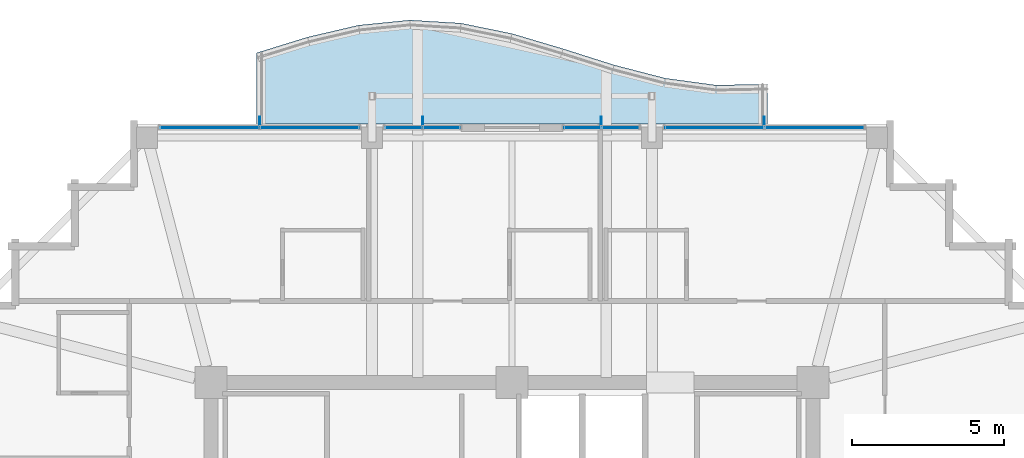
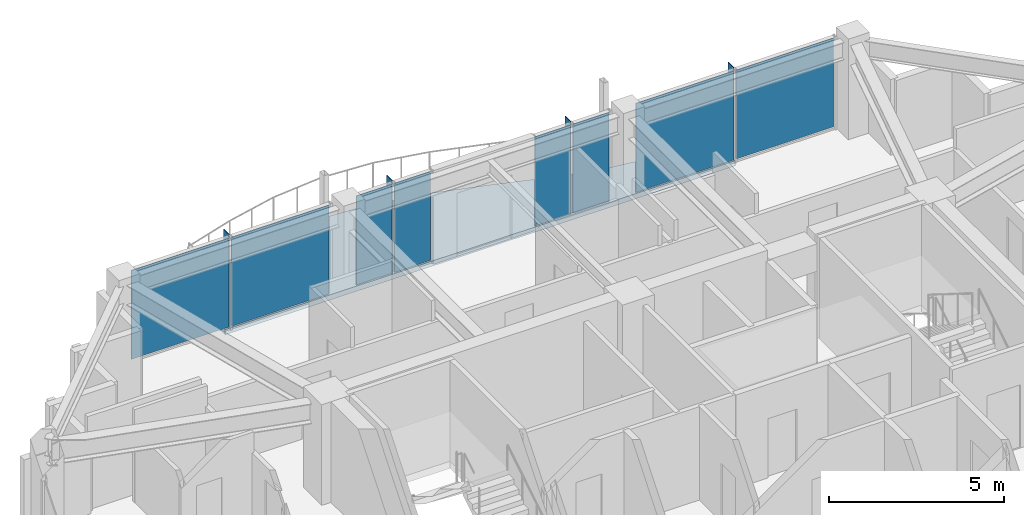
# One storey, part 26 of 34: 12 plates, 1 slab, 4 elements without a shape of their own.
"""IFC4 building model written with IfcOpenShell, lengths in metres."""

import ifcopenshell
import ifcopenshell.guid

model = None  # the IFC model being written
_history = None  # IfcOwnerHistory: only IFC2X3 demands one
_inside = {}  # id of a spatial element -> (the spatial element, [elements in it])
_under = {}  # id of a project, library or spatial element -> (it, [spatial elements below it])
_declared = {}  # id of a project -> (the project, [libraries it declares])
_typed = {}  # id of a type object -> (the type object, [elements of that type])
_made_of = {}  # id of a material, layer set ... -> (it, [elements and type objects made of it])


def new_model(schema):
    """Start an empty IFC model of exactly this schema.

    Asked for "IFC4X3", IfcOpenShell would pick the latest addendum, in which some entities
    have other attributes; the version numbers below select the first issue.
    IFC2X3 requires an IfcOwnerHistory on every rooted entity: one is made here for all.
    """
    global model, _history
    if schema == "IFC4X3":
        model = ifcopenshell.file(schema_version=(4, 3, 0, 0))
    else:
        model = ifcopenshell.file(schema=schema)
    _inside.clear()
    _under.clear()
    _declared.clear()
    _typed.clear()
    _made_of.clear()
    _history = None
    if model.schema == "IFC2X3":
        org = make("IfcOrganization", Name="unknown")
        user = make(
            "IfcPersonAndOrganization",
            ThePerson=make("IfcPerson", FamilyName="unknown"),
            TheOrganization=org,
        )
        app = make(
            "IfcApplication",
            ApplicationDeveloper=org,
            Version="unknown",
            ApplicationFullName="unknown",
            ApplicationIdentifier="unknown",
        )
        _history = make(
            "IfcOwnerHistory",
            OwningUser=user,
            OwningApplication=app,
            ChangeAction="ADDED",
            CreationDate=0,
        )
    return model


def make(cls, **values):
    """One entity of the class cls with the attributes given. An attribute that is None is left unset."""
    return model.create_entity(
        cls, **{name: value for name, value in values.items() if value is not None}
    )


def rooted(cls, **values):
    """An entity with a GlobalId (a new one), such as an element, a storey or a relation."""
    return make(cls, GlobalId=ifcopenshell.guid.new(), OwnerHistory=_history, **values)


def si_unit(unit_type, name, prefix=None):
    """IfcSIUnit, for example si_unit("LENGTHUNIT", "METRE", prefix="MILLI")."""
    return make("IfcSIUnit", UnitType=unit_type, Prefix=prefix, Name=name)


def assignment(units):
    """IfcUnitAssignment: the units of a project."""
    return None if units is None else make("IfcUnitAssignment", Units=units)


def point(xyz):
    """IfcCartesianPoint."""
    return None if xyz is None else make("IfcCartesianPoint", Coordinates=xyz)


def direction(xyz):
    """IfcDirection."""
    return None if xyz is None else make("IfcDirection", DirectionRatios=xyz)


def frame(location, z_axis=None, x_axis=None):
    """IfcAxis2Placement3D, a coordinate frame: its origin and axes. An axis left out is left unset."""
    return make(
        "IfcAxis2Placement3D",
        Location=point(location),
        Axis=direction(z_axis),
        RefDirection=direction(x_axis),
    )


def frame_2d(location, x_axis=None):
    """IfcAxis2Placement2D, a coordinate frame in the plane: its origin and x axis."""
    return make(
        "IfcAxis2Placement2D", Location=point(location), RefDirection=direction(x_axis)
    )


def origin():
    """The frame at (0, 0, 0) with its axes left unset."""
    return frame((0.0, 0.0, 0.0))


def origin_2d():
    """The frame at (0, 0) in the plane with its x axis left unset."""
    return frame_2d((0.0, 0.0))


def place(relative_to, where):
    """IfcLocalPlacement: puts the frame where relative to a parent placement (None: the world)."""
    return make(
        "IfcLocalPlacement", PlacementRelTo=relative_to, RelativePlacement=where
    )


def context(
    kind, dimensions, precision=None, world=None, true_north=None, identifier=None
):
    """IfcGeometricRepresentationContext, for example the 3D "Model" context."""
    return make(
        "IfcGeometricRepresentationContext",
        ContextIdentifier=identifier,
        ContextType=kind,
        CoordinateSpaceDimension=dimensions,
        Precision=precision,
        WorldCoordinateSystem=world,
        TrueNorth=true_north,
    )


def subcontext(parent, identifier, kind, view, scale=None):
    """IfcGeometricRepresentationSubContext, for example "Body" below "Model"."""
    return make(
        "IfcGeometricRepresentationSubContext",
        ContextIdentifier=identifier,
        ContextType=kind,
        ParentContext=parent,
        TargetScale=scale,
        TargetView=view,
    )


def project(units=None, contexts=None):
    """IfcProject with its units and contexts."""
    return rooted(
        "IfcProject",
        Name="project",
        RepresentationContexts=contexts,
        UnitsInContext=assignment(units),
    )


def spatial(cls, under=None, at=None, **own):
    """A site, building, storey or space (cls), placed at a placement, below another one or the project."""
    s = rooted(cls, ObjectPlacement=at, **own)
    if under is not None:
        _under.setdefault(under.id(), (under, []))[1].append(s)
    return s


def polyline(points):
    """IfcPolyline through the points."""
    return make("IfcPolyline", Points=[point(p) for p in points])


def profile(cls, at=None, kind="AREA", **sizes):
    """A parametric profile (cls). Its sizes go by their IFC names, for example OverallWidth=200.0."""
    return make(cls, ProfileType=kind, Position=at, **sizes)


def rectangle(**sizes):
    """IfcRectangleProfileDef."""
    return profile("IfcRectangleProfileDef", **sizes)


def outline(outer, holes=None, kind="AREA"):
    """IfcArbitraryClosedProfileDef: a profile drawn as a closed curve; with holes, ...WithVoids."""
    if holes is None:
        return make("IfcArbitraryClosedProfileDef", ProfileType=kind, OuterCurve=outer)
    return make(
        "IfcArbitraryProfileDefWithVoids",
        ProfileType=kind,
        OuterCurve=outer,
        InnerCurves=holes,
    )


def extrude(swept, where, along, depth):
    """IfcExtrudedAreaSolid: the profile swept, set in the frame where, extruded along a direction by depth."""
    return make(
        "IfcExtrudedAreaSolid",
        SweptArea=swept,
        Position=where,
        ExtrudedDirection=direction(along),
        Depth=depth,
    )


def shape(context_of_items, identifier, shape_type, items):
    """IfcShapeRepresentation: the items that make up one representation, for example the "Body"."""
    return make(
        "IfcShapeRepresentation",
        ContextOfItems=context_of_items,
        RepresentationIdentifier=identifier,
        RepresentationType=shape_type,
        Items=items,
    )


def material(Name=None, Category=None):
    """IfcMaterial."""
    return make("IfcMaterial", Name=Name, Category=Category)


def layer(
    of_material, thickness, ventilated=None, Name=None, Category=None, Priority=None
):
    """IfcMaterialLayer: one layer of a wall or slab, of a material (None: an air gap)."""
    return make(
        "IfcMaterialLayer",
        Material=of_material,
        LayerThickness=thickness,
        IsVentilated=ventilated,
        Name=Name,
        Category=Category,
        Priority=Priority,
    )


def layer_set(layers, Name=None):
    """IfcMaterialLayerSet."""
    return make("IfcMaterialLayerSet", MaterialLayers=layers, LayerSetName=Name)


def made_of(thing, what):
    """Note that an element or type object is made of a material, layer set ...; save() writes the relation."""
    if what is not None:
        _made_of.setdefault(what.id(), (what, []))[1].append(thing)
    return thing


def type_object(cls, material=None, **own):
    """A type object (cls), such as IfcWallType, which elements share."""
    return made_of(rooted(cls, **own), material)


def element(
    cls,
    number,
    at=None,
    inside=None,
    cuts=None,
    type_object=None,
    material=None,
    context=None,
    identifier="Body",
    shape_type=None,
    held_by="IfcProductDefinitionShape",
    body=None,
    shapes=None,
    **own,
):
    """One element of the class cls, such as IfcWall. Its Tag is "e" and its number.

    at: its placement. inside: the storey or other place that contains it. cuts: it is an
    opening in that element (IfcRelVoidsElement). A single representation is given by context,
    identifier, shape_type and body (its items); several are given by shapes. held_by: the class
    of the entity that holds the representations. save() writes the other relations.
    """
    e = rooted(cls, Tag="e%d" % number, ObjectPlacement=at, **own)
    if body is not None:
        shapes = [shape(context, identifier, shape_type, body)]
    if shapes is not None:
        e.Representation = make(held_by, Representations=shapes)
    if inside is not None:
        _inside.setdefault(inside.id(), (inside, []))[1].append(e)
    if cuts is not None:
        rooted(
            "IfcRelVoidsElement", RelatingBuildingElement=cuts, RelatedOpeningElement=e
        )
    if type_object is not None:
        _typed.setdefault(type_object.id(), (type_object, []))[1].append(e)
    return made_of(e, material)


def aggregate(whole, parts):
    """IfcRelAggregates: a whole, such as a stair, and the parts it consists of."""
    return rooted("IfcRelAggregates", RelatingObject=whole, RelatedObjects=parts)


def save(model, path):
    """Write the relations noted so far, then the file.

    IfcRelAggregates (storeys below a building ...), IfcRelContainedInSpatialStructure (elements
    in a storey), IfcRelDefinesByType, IfcRelAssociatesMaterial and IfcRelDeclares: one each for
    every whole, place, type object, material and project.
    """
    for whole, parts in _under.values():
        aggregate(whole, parts)
    for where, things in _inside.values():
        rooted(
            "IfcRelContainedInSpatialStructure",
            RelatedElements=things,
            RelatingStructure=where,
        )
    for kind, things in _typed.values():
        rooted("IfcRelDefinesByType", RelatedObjects=things, RelatingType=kind)
    for what, things in _made_of.values():
        rooted("IfcRelAssociatesMaterial", RelatedObjects=things, RelatingMaterial=what)
    for by, libraries in _declared.values():
        rooted("IfcRelDeclares", RelatingContext=by, RelatedDefinitions=libraries)
    model.write(path)


model = new_model("IFC4")

# Units and contexts
model_context = context("Model", 3, precision=1e-05, world=origin(), true_north=direction((0.0, 1.0)))
body_context = subcontext(model_context, "Body", "Model", "MODEL_VIEW")
ifc_project = project(units=[si_unit("LENGTHUNIT", "METRE"), si_unit("AREAUNIT", "SQUARE_METRE"), si_unit("VOLUMEUNIT", "CUBIC_METRE"), si_unit("PLANEANGLEUNIT", "RADIAN"), si_unit("MASSUNIT", "GRAM", prefix="KILO")], contexts=[model_context])

# Site, building, storey
site_placement = place(None, origin())
site = spatial("IfcSite", under=ifc_project, at=site_placement, CompositionType="ELEMENT")
building_placement = place(site_placement, origin())
building = spatial("IfcBuilding", under=site, at=building_placement, Name="Kolvaren Belvedere", CompositionType="ELEMENT")
storey_placement = place(building_placement, frame((0.0, 0.0, 240.89990234375)))
storey = spatial("IfcBuildingStorey", under=building, at=storey_placement, Name="L70", CompositionType="ELEMENT", Elevation=240.89990234375)

# Curtain wall, plates
ifc_material_1 = material(Name="Anodised pale-metal aluminium AA 6063-T6", Category="aluminium")
curtain_wall_type = type_object("IfcCurtainWallType", Name="CW-Z5-HIGH", PredefinedType="NOTDEFINED", material=ifc_material_1)
curtain_wall_1_placement = place(storey_placement, origin())
curtain_wall_1 = element("IfcCurtainWall", 1, at=curtain_wall_1_placement, inside=storey, type_object=curtain_wall_type, Name="L70 Unitised Curtain Wall FCW-L70-N1-B1", PredefinedType="NOTDEFINED")
ifc_material_2 = material(Name="Low-iron triple insulated glass", Category="glass")
ifc_layer_1 = layer(ifc_material_2, 0.028076171875)
ifc_layer_set_1 = layer_set([ifc_layer_1], Name="Low-iron triple insulated glass")
plate_type_1 = type_object("IfcPlateType", Name="CW-PNL-VIS28", PredefinedType="CURTAIN_PANEL", material=ifc_layer_set_1)
plate_1_placement = place(storey_placement, frame((-9.947509765625, 18.280029296875, 0.080078125), z_axis=(0.0, 0.0, 1.0), x_axis=(1.0, 0.0, 0.0)))
plate_1 = element("IfcPlate", 2, at=plate_1_placement, type_object=plate_type_1, Name="FCW-L70-N1-B1 Vision Glazing Panel 1", PredefinedType="CURTAIN_PANEL", context=body_context, shape_type="SweptSolid", body=[
    extrude(rectangle(XDim=3.215087890625, YDim=0.028076171875, at=origin_2d()), origin(), (0.0, 0.0, 1.0), 3.090087890625),
])
plate_2_placement = place(storey_placement, frame((-6.652587890625, 18.280029296875, 0.080078125), z_axis=(0.0, 0.0, 1.0), x_axis=(1.0, 0.0, 0.0)))
plate_2 = element("IfcPlate", 3, at=plate_2_placement, type_object=plate_type_1, Name="FCW-L70-N1-B1 Vision Glazing Panel 2", PredefinedType="CURTAIN_PANEL", context=body_context, shape_type="SweptSolid", body=[
    extrude(rectangle(XDim=3.215087890625, YDim=0.028076171875, at=origin_2d()), origin(), (0.0, 0.0, 1.0), 3.090087890625),
])
aggregate(curtain_wall_1, [plate_1, plate_2])

curtain_wall_2_placement = place(storey_placement, origin())
curtain_wall_2 = element("IfcCurtainWall", 4, at=curtain_wall_2_placement, inside=storey, type_object=curtain_wall_type, Name="L70 Unitised Curtain Wall FCW-L70-N1-B2", PredefinedType="NOTDEFINED")
plate_3_placement = place(storey_placement, frame((-3.56640625, 18.280029296875, 0.080078125), z_axis=(0.0, 0.0, 1.0), x_axis=(1.0, 0.0, 0.0)))
plate_3 = element("IfcPlate", 5, at=plate_3_placement, type_object=plate_type_1, Name="FCW-L70-N1-B2 Vision Glazing Panel 1", PredefinedType="CURTAIN_PANEL", context=body_context, shape_type="SweptSolid", body=[
    extrude(rectangle(XDim=1.177490234375, YDim=0.028076171875, at=origin_2d()), origin(), (0.0, 0.0, 1.0), 3.090087890625),
])
plate_4_placement = place(storey_placement, frame((-2.30859375, 18.280029296875, 0.080078125), z_axis=(0.0, 0.0, 1.0), x_axis=(1.0, 0.0, 0.0)))
plate_4 = element("IfcPlate", 6, at=plate_4_placement, type_object=plate_type_1, Name="FCW-L70-N1-B2 Vision Glazing Panel 2", PredefinedType="CURTAIN_PANEL", context=body_context, shape_type="SweptSolid", body=[
    extrude(rectangle(XDim=1.177490234375, YDim=0.028076171875, at=origin_2d()), origin(), (0.0, 0.0, 1.0), 3.090087890625),
])
aggregate(curtain_wall_2, [plate_3, plate_4])

curtain_wall_3_placement = place(storey_placement, origin())
curtain_wall_3 = element("IfcCurtainWall", 7, at=curtain_wall_3_placement, inside=storey, type_object=curtain_wall_type, Name="L70 Unitised Curtain Wall FCW-L70-N2-B1", PredefinedType="NOTDEFINED")
plate_5_placement = place(storey_placement, frame((2.30859375, 18.280029296875, 0.080078125), z_axis=(0.0, 0.0, 1.0), x_axis=(1.0, 0.0, 0.0)))
plate_5 = element("IfcPlate", 8, at=plate_5_placement, type_object=plate_type_1, Name="FCW-L70-N2-B1 Vision Glazing Panel 1", PredefinedType="CURTAIN_PANEL", context=body_context, shape_type="SweptSolid", body=[
    extrude(rectangle(XDim=1.177490234375, YDim=0.028076171875, at=origin_2d()), origin(), (0.0, 0.0, 1.0), 3.090087890625),
])
plate_6_placement = place(storey_placement, frame((3.56640625, 18.280029296875, 0.080078125), z_axis=(0.0, 0.0, 1.0), x_axis=(1.0, 0.0, 0.0)))
plate_6 = element("IfcPlate", 9, at=plate_6_placement, type_object=plate_type_1, Name="FCW-L70-N2-B1 Vision Glazing Panel 2", PredefinedType="CURTAIN_PANEL", context=body_context, shape_type="SweptSolid", body=[
    extrude(rectangle(XDim=1.177490234375, YDim=0.028076171875, at=origin_2d()), origin(), (0.0, 0.0, 1.0), 3.090087890625),
])
aggregate(curtain_wall_3, [plate_5, plate_6])

curtain_wall_4_placement = place(storey_placement, origin())
curtain_wall_4 = element("IfcCurtainWall", 10, at=curtain_wall_4_placement, inside=storey, type_object=curtain_wall_type, Name="L70 Unitised Curtain Wall FCW-L70-N2-B2", PredefinedType="NOTDEFINED")
plate_7_placement = place(storey_placement, frame((6.652587890625, 18.280029296875, 0.080078125), z_axis=(0.0, 0.0, 1.0), x_axis=(1.0, 0.0, 0.0)))
plate_7 = element("IfcPlate", 11, at=plate_7_placement, type_object=plate_type_1, Name="FCW-L70-N2-B2 Vision Glazing Panel 1", PredefinedType="CURTAIN_PANEL", context=body_context, shape_type="SweptSolid", body=[
    extrude(rectangle(XDim=3.215087890625, YDim=0.028076171875, at=origin_2d()), origin(), (0.0, 0.0, 1.0), 3.090087890625),
])
plate_8_placement = place(storey_placement, frame((9.947509765625, 18.280029296875, 0.080078125), z_axis=(0.0, 0.0, 1.0), x_axis=(1.0, 0.0, 0.0)))
plate_8 = element("IfcPlate", 12, at=plate_8_placement, type_object=plate_type_1, Name="FCW-L70-N2-B2 Vision Glazing Panel 2", PredefinedType="CURTAIN_PANEL", context=body_context, shape_type="SweptSolid", body=[
    extrude(rectangle(XDim=3.215087890625, YDim=0.028076171875, at=origin_2d()), origin(), (0.0, 0.0, 1.0), 3.090087890625),
])
aggregate(curtain_wall_4, [plate_7, plate_8])

# Plates
ifc_material_3 = material(Name="Anodised pale-metal aluminium AA 6063-T6", Category="aluminium")
ifc_layer_2 = layer(ifc_material_3, 0.030029296875)
ifc_layer_set_2 = layer_set([ifc_layer_2], Name="Anodised pale-metal aluminium AA 6063-T6")
plate_type_2 = type_object("IfcPlateType", Name="FIN-VERT-300", PredefinedType="USERDEFINED", material=ifc_layer_set_2)
for number, where, z_axis, x_axis, name in (
    (13, (-8.300048828125, 18.489990234375, 0.0), (0.0, 0.0, 1.0), (0.0, 1.0, 0.0), "L70 Pale-Metal Vertical Shading Fin FCW-L70-N1-B1-1"),
    (14, (-2.9375, 18.489990234375, 0.0), (0.0, 0.0, 1.0), (0.0, 1.0, 0.0), "L70 Pale-Metal Vertical Shading Fin FCW-L70-N1-B2-1"),
    (15, (2.9375, 18.489990234375, 0.0), (0.0, 0.0, 1.0), (0.0, 1.0, 0.0), "L70 Pale-Metal Vertical Shading Fin FCW-L70-N2-B1-1"),
    (16, (8.300048828125, 18.489990234375, 0.0), (0.0, 0.0, 1.0), (0.0, 1.0, 0.0), "L70 Pale-Metal Vertical Shading Fin FCW-L70-N2-B2-1"),
):
    element("IfcPlate", number, at=place(storey_placement, frame(where, z_axis=z_axis, x_axis=x_axis)), inside=storey, type_object=plate_type_2, Name=name, ObjectType="VERTICAL FIN", PredefinedType="USERDEFINED", context=body_context, shape_type="SweptSolid", body=[
        extrude(rectangle(XDim=0.300048828125, YDim=0.030029296875, at=origin_2d()), origin(), (0.0, 0.0, 1.0), 3.25),
    ])

# Slab
ifc_material_4 = material(Name="Concrete C50/60", Category="concrete")
ifc_layer_3 = layer(ifc_material_4, 0.179931640625)
ifc_layer_set_3 = layer_set([ifc_layer_3], Name="Concrete C50/60")
slab_type = type_object("IfcSlabType", Name="SL-BAL-180", PredefinedType="FLOOR", material=ifc_layer_set_3)
slab_placement = place(storey_placement, frame((0.0, 0.0, -0.25)))
element("IfcSlab", 17, at=slab_placement, inside=storey, type_object=slab_type, Name="L70 Planted Balcony BAL-N", PredefinedType="FLOOR", context=body_context, shape_type="SweptSolid", body=[
    extrude(outline(polyline([(-8.39990234375, 18.39990234375), (-6.719970703125, 18.39990234375), (-5.0400390625, 18.39990234375), (-3.360107421875, 18.39990234375), (-1.679931640625, 18.39990234375), (0.0, 18.39990234375), (1.679931640625, 18.39990234375), (3.360107421875, 18.39990234375), (5.0400390625, 18.39990234375), (6.719970703125, 18.39990234375), (8.39990234375, 18.39990234375), (8.39990234375, 19.712890625), (6.719970703125, 19.67919921875), (5.0400390625, 19.90771484375), (3.360107421875, 20.34228515625), (1.679931640625, 20.87548828125), (0.0, 21.374755859375), (-1.679931640625, 21.71728515625), (-3.360107421875, 21.820068359375), (-5.0400390625, 21.65185546875), (-6.719970703125, 21.26025390625), (-8.39990234375, 20.739990234375), (-8.39990234375, 18.39990234375)])), origin(), (0.0, 0.0, 1.0), 0.18017578125),
])

save(model, "model.ifc")
